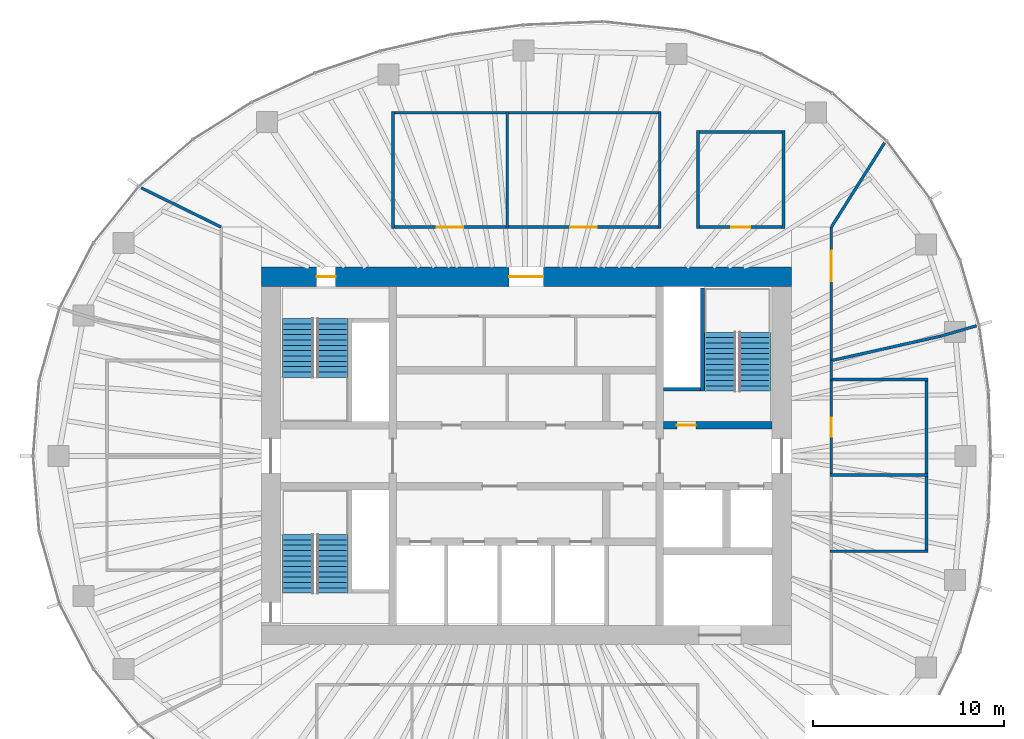
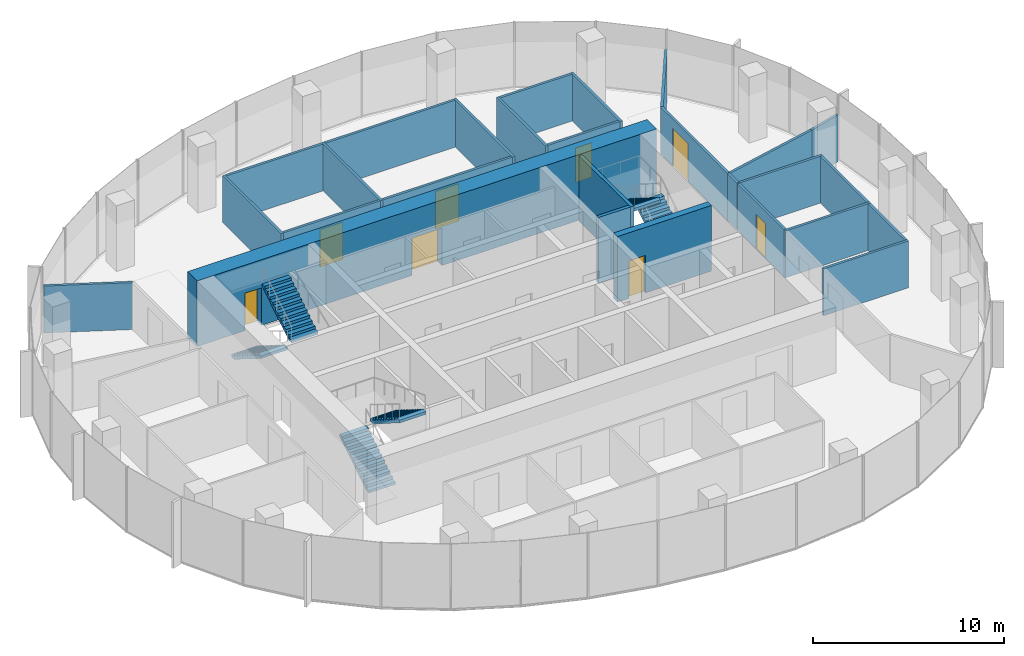
# One storey, part 10 of 11: 27 walls, 8 doors, 6 stair flights, 8 openings, 3 elements without a shape of their own.
"""IFC4 building model written with IfcOpenShell, lengths in metres."""

from ifc_helpers import new_model, si_unit, direction, frame, frame_2d, origin, place, context, subcontext, project, spatial, polyline, rectangle, outline, extrude, material, layer, layer_set, type_object, element, fill, aggregate, save


model = new_model("IFC4")

# Units and contexts
model_context = context("Model", 3, precision=1e-05, world=origin(), true_north=direction((0.0, 1.0)))
body_context = subcontext(model_context, "Body", "Model", "MODEL_VIEW")
ifc_project = project(units=[si_unit("LENGTHUNIT", "METRE"), si_unit("AREAUNIT", "SQUARE_METRE"), si_unit("VOLUMEUNIT", "CUBIC_METRE"), si_unit("PLANEANGLEUNIT", "RADIAN"), si_unit("MASSUNIT", "GRAM", prefix="KILO")], contexts=[model_context])

# Site, building, storey
site_placement = place(None, origin())
site = spatial("IfcSite", under=ifc_project, at=site_placement, CompositionType="ELEMENT")
building_placement = place(site_placement, origin())
building = spatial("IfcBuilding", under=site, at=building_placement, Name="Ghaith Harvest Tower", CompositionType="ELEMENT")
storey_placement = place(building_placement, frame((0.0, 0.0, 292.199951171875)))
storey = spatial("IfcBuildingStorey", under=building, at=storey_placement, Name="L65", CompositionType="ELEMENT", Elevation=292.199951171875)

# Wall, openings, doors
ifc_material_1 = material(Name="Concrete C50/60", Category="concrete")
ifc_layer_1 = layer(ifc_material_1, 1.0)
ifc_layer_set_1 = layer_set([ifc_layer_1], Name="CORE WALL CW1000")
wall_type_1 = type_object("IfcWallType", Name="CORE WALL CW1000", PredefinedType="SHEAR", material=ifc_layer_set_1)
wall_1_placement = place(storey_placement, frame((13.89990234375, 9.39990234375, 0.0), z_axis=(0.0, 0.0, 1.0), x_axis=(-1.0, 0.0, 0.0)))
wall_1 = element("IfcWall", 1, at=wall_1_placement, inside=storey, type_object=wall_type_1, Name="Core wall N L65", PredefinedType="SHEAR", context=body_context, shape_type="SweptSolid", body=[
    extrude(rectangle(XDim=27.7998046875, YDim=1.0, at=frame_2d((13.89990234375, 0.0))), origin(), (0.0, 0.0, 1.0), 4.199951171875),
])
opening_1_placement = place(wall_1_placement, frame((23.89990234375, 0.0, 0.0)))
opening_1 = element("IfcOpeningElement", 2, at=opening_1_placement, cuts=wall_1, Name="Opening 65-005", PredefinedType="OPENING", context=body_context, shape_type="SweptSolid", body=[
    extrude(rectangle(XDim=1.0, YDim=2.39990234375, at=frame_2d((0.5, 1.199951171875))), frame((0.0, 0.510009765625, 0.0), z_axis=(0.0, -1.0, 0.0), x_axis=(1.0, 0.0, 0.0)), (0.0, 0.0, 1.0), 1.02001953125),
])
opening_2_placement = place(wall_1_placement, frame((13.0, 0.0, 0.0)))
opening_2 = element("IfcOpeningElement", 3, at=opening_2_placement, cuts=wall_1, Name="Opening 65-016", PredefinedType="OPENING", context=body_context, shape_type="SweptSolid", body=[
    extrude(rectangle(XDim=1.800048828125, YDim=2.39990234375, at=frame_2d((0.89990234375, 1.199951171875))), frame((0.0, 0.510009765625, 0.0), z_axis=(0.0, -1.0, 0.0), x_axis=(1.0, 0.0, 0.0)), (0.0, 0.0, 1.0), 1.02001953125),
])
ifc_material_2 = material(Name="Steel fire door", Category="steel")
door_type_1 = type_object("IfcDoorType", Name="D3 FD90 1000x2400", OperationType="SINGLE_SWING_LEFT", PredefinedType="DOOR", material=ifc_material_2)
door_1_placement = place(opening_1_placement, origin())
door_1 = element("IfcDoor", 4, at=door_1_placement, inside=storey, type_object=door_type_1, Name="Stair ST1 door", OperationType="SINGLE_SWING_RIGHT", OverallHeight=2.39990234375, OverallWidth=1.0, PredefinedType="DOOR", context=body_context, shape_type="SweptSolid", body=[
    extrude(rectangle(XDim=1.0, YDim=2.39990234375, at=frame_2d((0.5, 1.199951171875))), frame((0.0, 0.02490234375, 0.0), z_axis=(0.0, -1.0, 0.0), x_axis=(1.0, 0.0, 0.0)), (0.0, 0.0, 1.0), 0.050048828125),
])
fill(opening_1, door_1)
ifc_material_3 = material(Name="Steel fire door", Category="steel")
door_type_2 = type_object("IfcDoorType", Name="D4 FD90 PAIR 1800x2400", OperationType="DOUBLE_DOOR_SINGLE_SWING", PredefinedType="DOOR", material=ifc_material_3)
door_2_placement = place(opening_2_placement, origin())
door_2 = element("IfcDoor", 5, at=door_2_placement, inside=storey, type_object=door_type_2, Name="Core service corridor doors", OperationType="DOUBLE_DOOR_SINGLE_SWING", OverallHeight=2.39990234375, OverallWidth=1.800048828125, PredefinedType="DOOR", context=body_context, shape_type="SweptSolid", body=[
    extrude(rectangle(XDim=1.800048828125, YDim=2.39990234375, at=frame_2d((0.89990234375, 1.199951171875))), frame((0.0, 0.02490234375, 0.0), z_axis=(0.0, -1.0, 0.0), x_axis=(1.0, 0.0, 0.0)), (0.0, 0.0, 1.0), 0.050048828125),
])
fill(opening_2, door_2)

# Walls
ifc_material_4 = material(Name="Gypsum board on steel studs", Category="steel")
ifc_layer_2 = layer(ifc_material_4, 0.14990234375)
ifc_layer_set_2 = layer_set([ifc_layer_2], Name="PARTITION 150")
wall_type_2 = type_object("IfcWallType", Name="PARTITION 150", PredefinedType="PARTITIONING", material=ifc_layer_set_2)
for number, where, z_axis, x_axis, name in (
    (6, (-7.0, 11.925048828125, 0.0), (0.0, 0.0, 1.0), (0.0, 1.0, 0.0), "Partition L65 row N3 cross wall 1"),
    (7, (-1.0, 11.925048828125, 0.0), (0.0, 0.0, 1.0), (0.0, 1.0, 0.0), "Partition L65 row N3 cross wall 2"),
    (8, (7.0, 11.925048828125, 0.0), (0.0, 0.0, 1.0), (0.0, 1.0, 0.0), "Partition L65 row N3 cross wall 3"),
):
    element("IfcWall", number, at=place(storey_placement, frame(where, z_axis=z_axis, x_axis=x_axis)), inside=storey, type_object=wall_type_2, Name=name, PredefinedType="PARTITIONING", context=body_context, shape_type="SweptSolid", body=[
        extrude(rectangle(XDim=6.14990234375, YDim=0.14990234375, at=frame_2d((3.074951171875, 0.0))), origin(), (0.0, 0.0, 1.0), 3.0),
    ])

# Wall, opening, door
wall_2_placement = place(storey_placement, frame((-6.925048828125, 12.0, 0.0), z_axis=(0.0, 0.0, 1.0), x_axis=(1.0, 0.0, 0.0)))
wall_2 = element("IfcWall", 9, at=wall_2_placement, inside=storey, type_object=wall_type_2, Name="Partition L65-07", PredefinedType="PARTITIONING", context=body_context, shape_type="SweptSolid", body=[
    extrude(rectangle(XDim=5.85009765625, YDim=0.14990234375, at=frame_2d((2.925048828125, 0.0))), origin(), (0.0, 0.0, 1.0), 3.0),
])
opening_3_placement = place(wall_2_placement, frame((2.22509765625, 0.0, 0.0)))
opening_3 = element("IfcOpeningElement", 10, at=opening_3_placement, cuts=wall_2, Name="Opening 65-030", PredefinedType="OPENING", context=body_context, shape_type="SweptSolid", body=[
    extrude(rectangle(XDim=1.39990234375, YDim=2.39990234375, at=frame_2d((0.699951171875, 1.199951171875))), frame((0.0, 0.0849609375, 0.0), z_axis=(0.0, -1.0, 0.0), x_axis=(1.0, 0.0, 0.0)), (0.0, 0.0, 1.0), 0.169921875),
])
ifc_material_5 = material(Name="Stainless steel faced door pair", Category="steel")
door_type_3 = type_object("IfcDoorType", Name="D14 HYGIENE PAIR 1400x2400", OperationType="DOUBLE_DOOR_DOUBLE_SWING", PredefinedType="DOOR", material=ifc_material_5)
door_3_placement = place(opening_3_placement, origin())
door_3 = element("IfcDoor", 11, at=door_3_placement, inside=storey, type_object=door_type_3, Name="Grading room door", OperationType="DOUBLE_DOOR_DOUBLE_SWING", OverallHeight=2.39990234375, OverallWidth=1.39990234375, PredefinedType="DOOR", context=body_context, shape_type="SweptSolid", body=[
    extrude(rectangle(XDim=1.39990234375, YDim=2.39990234375, at=frame_2d((0.699951171875, 1.199951171875))), frame((0.0, 0.02490234375, 0.0), z_axis=(0.0, -1.0, 0.0), x_axis=(1.0, 0.0, 0.0)), (0.0, 0.0, 1.0), 0.050048828125),
])
fill(opening_3, door_3)

# Wall
wall_3_placement = place(storey_placement, frame((-6.925048828125, 18.0, 0.0), z_axis=(0.0, 0.0, 1.0), x_axis=(1.0, 0.0, 0.0)))
element("IfcWall", 12, at=wall_3_placement, inside=storey, type_object=wall_type_2, Name="Partition L65-07", PredefinedType="PARTITIONING", context=body_context, shape_type="SweptSolid", body=[
    extrude(rectangle(XDim=5.85009765625, YDim=0.14990234375, at=frame_2d((2.925048828125, 0.0))), origin(), (0.0, 0.0, 1.0), 3.0),
])

# Wall, opening, door
wall_4_placement = place(storey_placement, frame((-0.925048828125, 12.0, 0.0), z_axis=(0.0, 0.0, 1.0), x_axis=(1.0, 0.0, 0.0)))
wall_4 = element("IfcWall", 13, at=wall_4_placement, inside=storey, type_object=wall_type_2, Name="Partition L65-08", PredefinedType="PARTITIONING", context=body_context, shape_type="SweptSolid", body=[
    extrude(rectangle(XDim=7.85009765625, YDim=0.14990234375, at=frame_2d((3.925048828125, 0.0))), origin(), (0.0, 0.0, 1.0), 3.0),
])
opening_4_placement = place(wall_4_placement, frame((3.22509765625, 0.0, 0.0)))
opening_4 = element("IfcOpeningElement", 14, at=opening_4_placement, cuts=wall_4, Name="Opening 65-031", PredefinedType="OPENING", context=body_context, shape_type="SweptSolid", body=[
    extrude(rectangle(XDim=1.39990234375, YDim=2.39990234375, at=frame_2d((0.699951171875, 1.199951171875))), frame((0.0, 0.0849609375, 0.0), z_axis=(0.0, -1.0, 0.0), x_axis=(1.0, 0.0, 0.0)), (0.0, 0.0, 1.0), 0.169921875),
])
door_4_placement = place(opening_4_placement, origin())
door_4 = element("IfcDoor", 15, at=door_4_placement, inside=storey, type_object=door_type_3, Name="Packing room door", OperationType="DOUBLE_DOOR_DOUBLE_SWING", OverallHeight=2.39990234375, OverallWidth=1.39990234375, PredefinedType="DOOR", context=body_context, shape_type="SweptSolid", body=[
    extrude(rectangle(XDim=1.39990234375, YDim=2.39990234375, at=frame_2d((0.699951171875, 1.199951171875))), frame((0.0, 0.02490234375, 0.0), z_axis=(0.0, -1.0, 0.0), x_axis=(1.0, 0.0, 0.0)), (0.0, 0.0, 1.0), 0.050048828125),
])
fill(opening_4, door_4)

# Walls
wall_5_placement = place(storey_placement, frame((-0.925048828125, 18.0, 0.0), z_axis=(0.0, 0.0, 1.0), x_axis=(1.0, 0.0, 0.0)))
element("IfcWall", 16, at=wall_5_placement, inside=storey, type_object=wall_type_2, Name="Partition L65-08", PredefinedType="PARTITIONING", context=body_context, shape_type="SweptSolid", body=[
    extrude(rectangle(XDim=7.85009765625, YDim=0.14990234375, at=frame_2d((3.925048828125, 0.0))), origin(), (0.0, 0.0, 1.0), 3.0),
])
for number, where, z_axis, x_axis, name in (
    (17, (15.925048828125, -5.0, 0.0), (0.0, 0.0, 1.0), (1.0, 0.0, 0.0), "Partition L65 row E4 cross wall 1"),
    (18, (15.925048828125, -1.0, 0.0), (0.0, 0.0, 1.0), (1.0, 0.0, 0.0), "Partition L65 row E4 cross wall 2"),
    (19, (15.925048828125, 4.0, 0.0), (0.0, 0.0, 1.0), (1.0, 0.0, 0.0), "Partition L65 row E4 cross wall 3"),
):
    element("IfcWall", number, at=place(storey_placement, frame(where, z_axis=z_axis, x_axis=x_axis)), inside=storey, type_object=wall_type_2, Name=name, PredefinedType="PARTITIONING", context=body_context, shape_type="SweptSolid", body=[
        extrude(rectangle(XDim=5.14990234375, YDim=0.14990234375, at=frame_2d((2.574951171875, 0.0))), origin(), (0.0, 0.0, 1.0), 3.0),
    ])
wall_6_placement = place(storey_placement, frame((21.0, -4.925048828125, 0.0), z_axis=(0.0, 0.0, 1.0), x_axis=(0.0, 1.0, 0.0)))
element("IfcWall", 20, at=wall_6_placement, inside=storey, type_object=wall_type_2, Name="Partition L65-09", PredefinedType="PARTITIONING", context=body_context, shape_type="SweptSolid", body=[
    extrude(rectangle(XDim=3.85009765625, YDim=0.14990234375, at=frame_2d((1.925048828125, 0.0))), origin(), (0.0, 0.0, 1.0), 3.0),
])

# Wall, opening, door
wall_7_placement = place(storey_placement, frame((16.0, -0.925048828125, 0.0), z_axis=(0.0, 0.0, 1.0), x_axis=(0.0, 1.0, 0.0)))
wall_7 = element("IfcWall", 21, at=wall_7_placement, inside=storey, type_object=wall_type_2, Name="Partition L65-10", PredefinedType="PARTITIONING", context=body_context, shape_type="SweptSolid", body=[
    extrude(rectangle(XDim=4.85009765625, YDim=0.14990234375, at=frame_2d((2.425048828125, 0.0))), origin(), (0.0, 0.0, 1.0), 3.0),
])
opening_5_placement = place(wall_7_placement, frame((1.925048828125, 0.0, 0.0)))
opening_5 = element("IfcOpeningElement", 22, at=opening_5_placement, cuts=wall_7, Name="Opening 65-033", PredefinedType="OPENING", context=body_context, shape_type="SweptSolid", body=[
    extrude(rectangle(XDim=1.0, YDim=2.199951171875, at=frame_2d((0.5, 1.10009765625))), frame((0.0, 0.0849609375, 0.0), z_axis=(0.0, -1.0, 0.0), x_axis=(1.0, 0.0, 0.0)), (0.0, 0.0, 1.0), 0.169921875),
])
ifc_material_6 = material(Name="Timber door", Category="wood")
door_type_4 = type_object("IfcDoorType", Name="D1 SINGLE 1000x2200", OperationType="SINGLE_SWING_LEFT", PredefinedType="DOOR", material=ifc_material_6)
door_5_placement = place(opening_5_placement, origin())
door_5 = element("IfcDoor", 23, at=door_5_placement, inside=storey, type_object=door_type_4, Name="Staff room door", OperationType="SINGLE_SWING_LEFT", OverallHeight=2.199951171875, OverallWidth=1.0, PredefinedType="DOOR", context=body_context, shape_type="SweptSolid", body=[
    extrude(rectangle(XDim=1.0, YDim=2.199951171875, at=frame_2d((0.5, 1.10009765625))), frame((0.0, 0.02490234375, 0.0), z_axis=(0.0, -1.0, 0.0), x_axis=(1.0, 0.0, 0.0)), (0.0, 0.0, 1.0), 0.050048828125),
])
fill(opening_5, door_5)

# Walls
wall_8_placement = place(storey_placement, frame((21.0, -0.925048828125, 0.0), z_axis=(0.0, 0.0, 1.0), x_axis=(0.0, 1.0, 0.0)))
element("IfcWall", 24, at=wall_8_placement, inside=storey, type_object=wall_type_2, Name="Partition L65-10", PredefinedType="PARTITIONING", context=body_context, shape_type="SweptSolid", body=[
    extrude(rectangle(XDim=4.85009765625, YDim=0.14990234375, at=frame_2d((2.425048828125, 0.0))), origin(), (0.0, 0.0, 1.0), 3.0),
])
for number, where, z_axis, x_axis, name in (
    (25, (9.0, 11.925048828125, 0.0), (0.0, 0.0, 1.0), (0.0, 1.0, 0.0), "Partition L65 row N5 cross wall 1"),
    (26, (13.5, 11.925048828125, 0.0), (0.0, 0.0, 1.0), (0.0, 1.0, 0.0), "Partition L65 row N5 cross wall 2"),
):
    element("IfcWall", number, at=place(storey_placement, frame(where, z_axis=z_axis, x_axis=x_axis)), inside=storey, type_object=wall_type_2, Name=name, PredefinedType="PARTITIONING", context=body_context, shape_type="SweptSolid", body=[
        extrude(rectangle(XDim=5.14990234375, YDim=0.14990234375, at=frame_2d((2.574951171875, 0.0))), origin(), (0.0, 0.0, 1.0), 3.0),
    ])

# Wall, opening, door
wall_9_placement = place(storey_placement, frame((9.074951171875, 12.0, 0.0), z_axis=(0.0, 0.0, 1.0), x_axis=(1.0, 0.0, 0.0)))
wall_9 = element("IfcWall", 27, at=wall_9_placement, inside=storey, type_object=wall_type_2, Name="Partition L65-11", PredefinedType="PARTITIONING", context=body_context, shape_type="SweptSolid", body=[
    extrude(rectangle(XDim=4.35009765625, YDim=0.14990234375, at=frame_2d((2.175048828125, 0.0))), origin(), (0.0, 0.0, 1.0), 3.0),
])
opening_6_placement = place(wall_9_placement, frame((1.675048828125, 0.0, 0.0)))
opening_6 = element("IfcOpeningElement", 28, at=opening_6_placement, cuts=wall_9, Name="Opening 65-034", PredefinedType="OPENING", context=body_context, shape_type="SweptSolid", body=[
    extrude(rectangle(XDim=1.0, YDim=2.199951171875, at=frame_2d((0.5, 1.10009765625))), frame((0.0, 0.0849609375, 0.0), z_axis=(0.0, -1.0, 0.0), x_axis=(1.0, 0.0, 0.0)), (0.0, 0.0, 1.0), 0.169921875),
])
door_6_placement = place(opening_6_placement, origin())
door_6 = element("IfcDoor", 29, at=door_6_placement, inside=storey, type_object=door_type_4, Name="Packaging store door", OperationType="SINGLE_SWING_LEFT", OverallHeight=2.199951171875, OverallWidth=1.0, PredefinedType="DOOR", context=body_context, shape_type="SweptSolid", body=[
    extrude(rectangle(XDim=1.0, YDim=2.199951171875, at=frame_2d((0.5, 1.10009765625))), frame((0.0, 0.02490234375, 0.0), z_axis=(0.0, -1.0, 0.0), x_axis=(1.0, 0.0, 0.0)), (0.0, 0.0, 1.0), 0.050048828125),
])
fill(opening_6, door_6)

# Walls
wall_10_placement = place(storey_placement, frame((9.074951171875, 17.0, 0.0), z_axis=(0.0, 0.0, 1.0), x_axis=(1.0, 0.0, 0.0)))
element("IfcWall", 30, at=wall_10_placement, inside=storey, type_object=wall_type_2, Name="Partition L65-11", PredefinedType="PARTITIONING", context=body_context, shape_type="SweptSolid", body=[
    extrude(rectangle(XDim=4.35009765625, YDim=0.14990234375, at=frame_2d((2.175048828125, 0.0))), origin(), (0.0, 0.0, 1.0), 3.0),
])
wall_11_placement = place(storey_placement, frame((-16.017822265625, 12.0087890625, 0.0), z_axis=(0.0, 0.0, 1.0), x_axis=(-0.897771840996, 0.440460805879, 0.0)))
element("IfcWall", 31, at=wall_11_placement, inside=storey, type_object=wall_type_2, Name="Partition L65 zone division", PredefinedType="PARTITIONING", context=body_context, shape_type="SweptSolid", body=[
    extrude(rectangle(XDim=4.66552734375, YDim=0.14990234375, at=frame_2d((2.332763671875, 0.0))), origin(), (0.0, 0.0, 1.0), 3.0),
])
wall_12_placement = place(storey_placement, frame((16.0107421875, 12.016845703125, 0.0), z_axis=(0.0, 0.0, 1.0), x_axis=(0.53415837449, 0.845384427916, 0.0)))
element("IfcWall", 32, at=wall_12_placement, inside=storey, type_object=wall_type_2, Name="Partition L65 zone division", PredefinedType="PARTITIONING", context=body_context, shape_type="SweptSolid", body=[
    extrude(rectangle(XDim=5.220458984375, YDim=0.14990234375, at=frame_2d((2.6103515625, 0.0))), origin(), (0.0, 0.0, 1.0), 3.0),
])
wall_13_placement = place(storey_placement, frame((16.02001953125, 5.00439453125, 0.0), z_axis=(0.0, 0.0, 1.0), x_axis=(0.975955215335, 0.217971139513, 0.0)))
element("IfcWall", 33, at=wall_13_placement, inside=storey, type_object=wall_type_2, Name="Partition L65 zone division", PredefinedType="PARTITIONING", context=body_context, shape_type="SweptSolid", body=[
    extrude(rectangle(XDim=5.836669921875, YDim=0.14990234375, at=frame_2d((2.91845703125, 0.0))), origin(), (0.0, 0.0, 1.0), 3.0),
])
wall_14_placement = place(storey_placement, frame((21.71630859375, 6.276611328125, 0.0), z_axis=(0.0, 0.0, 1.0), x_axis=(0.960705414675, 0.277570002366, 0.0)))
element("IfcWall", 34, at=wall_14_placement, inside=storey, type_object=wall_type_2, Name="Partition L65 zone division", PredefinedType="PARTITIONING", context=body_context, shape_type="SweptSolid", body=[
    extrude(rectangle(XDim=1.97998046875, YDim=0.14990234375, at=frame_2d((0.989990234375, 0.0))), origin(), (0.0, 0.0, 1.0), 3.0),
])

# Wall, opening, door
wall_15_placement = place(storey_placement, frame((16.0, 5.0, 0.0), z_axis=(0.0, 0.0, 1.0), x_axis=(0.0, 1.0, 0.0)))
wall_15 = element("IfcWall", 35, at=wall_15_placement, inside=storey, type_object=wall_type_2, Name="Partition L65 zone enclosure", PredefinedType="PARTITIONING", context=body_context, shape_type="SweptSolid", body=[
    extrude(rectangle(XDim=7.0, YDim=0.14990234375, at=frame_2d((3.5, 0.0))), origin(), (0.0, 0.0, 1.0), 3.0),
])
opening_7_placement = place(wall_15_placement, frame((4.14990234375, 0.0, 0.0)))
opening_7 = element("IfcOpeningElement", 36, at=opening_7_placement, cuts=wall_15, Name="Opening 65-035", PredefinedType="OPENING", context=body_context, shape_type="SweptSolid", body=[
    extrude(rectangle(XDim=1.60009765625, YDim=2.39990234375, at=frame_2d((0.800048828125, 1.199951171875))), frame((0.0, 0.0849609375, 0.0), z_axis=(0.0, -1.0, 0.0), x_axis=(1.0, 0.0, 0.0)), (0.0, 0.0, 1.0), 0.169921875),
])
ifc_material_7 = material(Name="Timber door", Category="wood")
door_type_5 = type_object("IfcDoorType", Name="D2 PAIR 1600x2400", OperationType="DOUBLE_DOOR_SINGLE_SWING", PredefinedType="DOOR", material=ifc_material_7)
door_7_placement = place(opening_7_placement, origin())
door_7 = element("IfcDoor", 37, at=door_7_placement, inside=storey, type_object=door_type_5, Name="Specialty growing area east 1 door", OperationType="DOUBLE_DOOR_SINGLE_SWING", OverallHeight=2.39990234375, OverallWidth=1.60009765625, PredefinedType="DOOR", context=body_context, shape_type="SweptSolid", body=[
    extrude(rectangle(XDim=1.60009765625, YDim=2.39990234375, at=frame_2d((0.800048828125, 1.199951171875))), frame((0.0, 0.02490234375, 0.0), z_axis=(0.0, -1.0, 0.0), x_axis=(1.0, 0.0, 0.0)), (0.0, 0.0, 1.0), 0.050048828125),
])
fill(opening_7, door_7)

# Wall
wall_16_placement = place(storey_placement, frame((16.0, 4.0, 0.0), z_axis=(0.0, 0.0, 1.0), x_axis=(0.0, 1.0, 0.0)))
element("IfcWall", 38, at=wall_16_placement, inside=storey, type_object=wall_type_2, Name="Partition L65 zone enclosure", PredefinedType="PARTITIONING", context=body_context, shape_type="SweptSolid", body=[
    extrude(rectangle(XDim=1.0, YDim=0.14990234375, at=frame_2d((0.5, 0.0))), origin(), (0.0, 0.0, 1.0), 3.0),
])

# Wall, opening, door
ifc_material_8 = material(Name="Concrete C70/85", Category="concrete")
ifc_layer_3 = layer(ifc_material_8, 0.39990234375)
ifc_layer_set_3 = layer_set([ifc_layer_3], Name="SHAFT WALL 400")
wall_type_3 = type_object("IfcWallType", Name="SHAFT WALL 400", PredefinedType="SHEAR", material=ifc_layer_set_3)
wall_17_placement = place(storey_placement, frame((7.199951171875, 1.60009765625, 0.0), z_axis=(0.0, 0.0, 1.0), x_axis=(1.0, 0.0, 0.0)))
wall_17 = element("IfcWall", 39, at=wall_17_placement, inside=storey, type_object=wall_type_3, Name="Shaft wall EN L65", PredefinedType="SHEAR", context=body_context, shape_type="SweptSolid", body=[
    extrude(rectangle(XDim=5.699951171875, YDim=0.39990234375, at=frame_2d((2.85009765625, 0.0))), origin(), (0.0, 0.0, 1.0), 4.199951171875),
])
opening_8_placement = place(wall_17_placement, frame((0.699951171875, 0.0, 0.0)))
opening_8 = element("IfcOpeningElement", 40, at=opening_8_placement, cuts=wall_17, Name="Opening 65-007", PredefinedType="OPENING", context=body_context, shape_type="SweptSolid", body=[
    extrude(rectangle(XDim=1.0, YDim=2.39990234375, at=frame_2d((0.5, 1.199951171875))), frame((0.0, 0.2099609375, 0.0), z_axis=(0.0, -1.0, 0.0), x_axis=(1.0, 0.0, 0.0)), (0.0, 0.0, 1.0), 0.419921875),
])
door_8_placement = place(opening_8_placement, origin())
door_8 = element("IfcDoor", 41, at=door_8_placement, inside=storey, type_object=door_type_1, Name="Stair ST2 door", OperationType="SINGLE_SWING_LEFT", OverallHeight=2.39990234375, OverallWidth=1.0, PredefinedType="DOOR", context=body_context, shape_type="SweptSolid", body=[
    extrude(rectangle(XDim=1.0, YDim=2.39990234375, at=frame_2d((0.5, 1.199951171875))), frame((0.0, 0.02490234375, 0.0), z_axis=(0.0, -1.0, 0.0), x_axis=(1.0, 0.0, 0.0)), (0.0, 0.0, 1.0), 0.050048828125),
])
fill(opening_8, door_8)

# Walls
ifc_material_9 = material(Name="Concrete C40/50", Category="concrete")
ifc_layer_4 = layer(ifc_material_9, 0.199951171875)
ifc_layer_set_4 = layer_set([ifc_layer_4], Name="STAIR SPINE WALL RC200")
wall_type_4 = type_object("IfcWallType", Name="STAIR SPINE WALL RC200", PredefinedType="SOLIDWALL", material=ifc_layer_set_4)
wall_18_placement = place(storey_placement, frame((9.25, 3.39990234375, 0.0), z_axis=(0.0, 0.0, 1.0), x_axis=(0.0, 1.0, 0.0)))
element("IfcWall", 42, at=wall_18_placement, inside=storey, type_object=wall_type_4, Name="Stair ST2 spine wall L65", PredefinedType="SOLIDWALL", context=body_context, shape_type="SweptSolid", body=[
    extrude(rectangle(XDim=5.400146484375, YDim=0.199951171875, at=frame_2d((2.7001953125, 0.0))), origin(), (0.0, 0.0, 1.0), 4.199951171875),
])
wall_19_placement = place(storey_placement, frame((9.14990234375, 3.5, 0.0), z_axis=(0.0, 0.0, 1.0), x_axis=(-1.0, 0.0, 0.0)))
element("IfcWall", 43, at=wall_19_placement, inside=storey, type_object=wall_type_4, Name="Stair ST2 spine wall return L65", PredefinedType="SOLIDWALL", context=body_context, shape_type="SweptSolid", body=[
    extrude(rectangle(XDim=1.949951171875, YDim=0.199951171875, at=frame_2d((0.97509765625, 0.0))), origin(), (0.0, 0.0, 1.0), 4.199951171875),
])

# Stair, stair flights
ifc_material_10 = material(Name="Concrete C40/50, precast", Category="concrete")
stair_type = type_object("IfcStairType", Name="CORE STAIR 24R", PredefinedType="HALF_TURN_STAIR", material=ifc_material_10)
stair_1_placement = place(storey_placement, origin())
stair_1 = element("IfcStair", 44, at=stair_1_placement, inside=storey, type_object=stair_type, Name="Stair ST1 L65", PredefinedType="HALF_TURN_STAIR")
ifc_material_11 = material(Name="Concrete C40/50, precast", Category="concrete")
stair_flight_type = type_object("IfcStairFlightType", Name="CORE FLIGHT 12R 1600", PredefinedType="STRAIGHT", material=ifc_material_11)
stair_flight_1_placement = place(storey_placement, frame((-12.0, 7.199951171875, 0.0), z_axis=(0.0, 0.0, 1.0), x_axis=(0.0, -1.0, 0.0)))
stair_flight_1 = element("IfcStairFlight", 45, at=stair_flight_1_placement, type_object=stair_flight_type, Name="ST1 flight 1", NumberOfRisers=12, NumberOfTreads=11, PredefinedType="STRAIGHT", RiserHeight=0.175, TreadLength=0.28, context=body_context, shape_type="SweptSolid", body=[
    extrude(outline(polyline([(0.0, 0.0), (0.0, 0.175048828125), (0.280029296875, 0.175048828125), (0.280029296875, 0.35009765625), (0.56005859375, 0.35009765625), (0.56005859375, 0.52490234375), (0.840087890625, 0.52490234375), (0.840087890625, 0.699951171875), (1.1201171875, 0.699951171875), (1.1201171875, 0.875), (1.39990234375, 0.875), (1.39990234375, 1.050048828125), (1.679931640625, 1.050048828125), (1.679931640625, 1.22509765625), (1.9599609375, 1.22509765625), (1.9599609375, 1.39990234375), (2.239990234375, 1.39990234375), (2.239990234375, 1.574951171875), (2.52001953125, 1.574951171875), (2.52001953125, 1.75), (2.800048828125, 1.75), (2.800048828125, 1.925048828125), (3.080078125, 1.925048828125), (3.080078125, 2.10009765625), (3.080078125, 1.748291015625), (0.28271484375, 0.0), (0.0, 0.0)])), frame((0.0, 0.800048828125, 0.0), z_axis=(0.0, -1.0, 0.0), x_axis=(1.0, 0.0, 0.0)), (0.0, 0.0, 1.0), 1.60009765625),
])
stair_flight_2_placement = place(storey_placement, frame((-10.14990234375, 4.1201171875, 2.10009765625), z_axis=(0.0, 0.0, 1.0), x_axis=(0.0, 1.0, 0.0)))
stair_flight_2 = element("IfcStairFlight", 46, at=stair_flight_2_placement, type_object=stair_flight_type, Name="ST1 flight 2", NumberOfRisers=12, NumberOfTreads=11, PredefinedType="STRAIGHT", RiserHeight=0.175, TreadLength=0.28, context=body_context, shape_type="SweptSolid", body=[
    extrude(outline(polyline([(0.0, 0.0), (0.0, 0.175048828125), (0.280029296875, 0.175048828125), (0.280029296875, 0.35009765625), (0.56005859375, 0.35009765625), (0.56005859375, 0.52490234375), (0.840087890625, 0.52490234375), (0.840087890625, 0.699951171875), (1.1201171875, 0.699951171875), (1.1201171875, 0.875), (1.39990234375, 0.875), (1.39990234375, 1.050048828125), (1.679931640625, 1.050048828125), (1.679931640625, 1.22509765625), (1.9599609375, 1.22509765625), (1.9599609375, 1.39990234375), (2.239990234375, 1.39990234375), (2.239990234375, 1.574951171875), (2.52001953125, 1.574951171875), (2.52001953125, 1.75), (2.800048828125, 1.75), (2.800048828125, 1.925048828125), (3.080078125, 1.925048828125), (3.080078125, 2.10009765625), (3.080078125, 1.748291015625), (0.28271484375, 0.0), (0.0, 0.0)])), frame((0.0, 0.800048828125, 0.0), z_axis=(0.0, -1.0, 0.0), x_axis=(1.0, 0.0, 0.0)), (0.0, 0.0, 1.0), 1.60009765625),
])
aggregate(stair_1, [stair_flight_1, stair_flight_2])

stair_2_placement = place(storey_placement, origin())
stair_2 = element("IfcStair", 47, at=stair_2_placement, inside=storey, type_object=stair_type, Name="Stair ST3 L65", PredefinedType="HALF_TURN_STAIR")
stair_flight_3_placement = place(storey_placement, frame((-12.0, -7.199951171875, 0.0), z_axis=(0.0, 0.0, 1.0), x_axis=(0.0, 1.0, 0.0)))
stair_flight_3 = element("IfcStairFlight", 48, at=stair_flight_3_placement, type_object=stair_flight_type, Name="ST3 flight 1", NumberOfRisers=12, NumberOfTreads=11, PredefinedType="STRAIGHT", RiserHeight=0.175, TreadLength=0.28, context=body_context, shape_type="SweptSolid", body=[
    extrude(outline(polyline([(0.0, 0.0), (0.0, 0.175048828125), (0.280029296875, 0.175048828125), (0.280029296875, 0.35009765625), (0.56005859375, 0.35009765625), (0.56005859375, 0.52490234375), (0.840087890625, 0.52490234375), (0.840087890625, 0.699951171875), (1.1201171875, 0.699951171875), (1.1201171875, 0.875), (1.39990234375, 0.875), (1.39990234375, 1.050048828125), (1.679931640625, 1.050048828125), (1.679931640625, 1.22509765625), (1.9599609375, 1.22509765625), (1.9599609375, 1.39990234375), (2.239990234375, 1.39990234375), (2.239990234375, 1.574951171875), (2.52001953125, 1.574951171875), (2.52001953125, 1.75), (2.800048828125, 1.75), (2.800048828125, 1.925048828125), (3.080078125, 1.925048828125), (3.080078125, 2.10009765625), (3.080078125, 1.748291015625), (0.28271484375, 0.0), (0.0, 0.0)])), frame((0.0, 0.800048828125, 0.0), z_axis=(0.0, -1.0, 0.0), x_axis=(1.0, 0.0, 0.0)), (0.0, 0.0, 1.0), 1.60009765625),
])
stair_flight_4_placement = place(storey_placement, frame((-10.14990234375, -4.1201171875, 2.10009765625), z_axis=(0.0, 0.0, 1.0), x_axis=(0.0, -1.0, 0.0)))
stair_flight_4 = element("IfcStairFlight", 49, at=stair_flight_4_placement, type_object=stair_flight_type, Name="ST3 flight 2", NumberOfRisers=12, NumberOfTreads=11, PredefinedType="STRAIGHT", RiserHeight=0.175, TreadLength=0.28, context=body_context, shape_type="SweptSolid", body=[
    extrude(outline(polyline([(0.0, 0.0), (0.0, 0.175048828125), (0.280029296875, 0.175048828125), (0.280029296875, 0.35009765625), (0.56005859375, 0.35009765625), (0.56005859375, 0.52490234375), (0.840087890625, 0.52490234375), (0.840087890625, 0.699951171875), (1.1201171875, 0.699951171875), (1.1201171875, 0.875), (1.39990234375, 0.875), (1.39990234375, 1.050048828125), (1.679931640625, 1.050048828125), (1.679931640625, 1.22509765625), (1.9599609375, 1.22509765625), (1.9599609375, 1.39990234375), (2.239990234375, 1.39990234375), (2.239990234375, 1.574951171875), (2.52001953125, 1.574951171875), (2.52001953125, 1.75), (2.800048828125, 1.75), (2.800048828125, 1.925048828125), (3.080078125, 1.925048828125), (3.080078125, 2.10009765625), (3.080078125, 1.748291015625), (0.28271484375, 0.0), (0.0, 0.0)])), frame((0.0, 0.800048828125, 0.0), z_axis=(0.0, -1.0, 0.0), x_axis=(1.0, 0.0, 0.0)), (0.0, 0.0, 1.0), 1.60009765625),
])
aggregate(stair_2, [stair_flight_3, stair_flight_4])

stair_3_placement = place(storey_placement, origin())
stair_3 = element("IfcStair", 50, at=stair_3_placement, inside=storey, type_object=stair_type, Name="Stair ST2 L65", PredefinedType="HALF_TURN_STAIR")
stair_flight_5_placement = place(storey_placement, frame((12.0, 3.39990234375, 0.0), z_axis=(0.0, 0.0, 1.0), x_axis=(0.0, 1.0, 0.0)))
stair_flight_5 = element("IfcStairFlight", 51, at=stair_flight_5_placement, type_object=stair_flight_type, Name="ST2 flight 1", NumberOfRisers=12, NumberOfTreads=11, PredefinedType="STRAIGHT", RiserHeight=0.175, TreadLength=0.28, context=body_context, shape_type="SweptSolid", body=[
    extrude(outline(polyline([(0.0, 0.0), (0.0, 0.175048828125), (0.280029296875, 0.175048828125), (0.280029296875, 0.35009765625), (0.56005859375, 0.35009765625), (0.56005859375, 0.52490234375), (0.840087890625, 0.52490234375), (0.840087890625, 0.699951171875), (1.1201171875, 0.699951171875), (1.1201171875, 0.875), (1.39990234375, 0.875), (1.39990234375, 1.050048828125), (1.679931640625, 1.050048828125), (1.679931640625, 1.22509765625), (1.9599609375, 1.22509765625), (1.9599609375, 1.39990234375), (2.239990234375, 1.39990234375), (2.239990234375, 1.574951171875), (2.52001953125, 1.574951171875), (2.52001953125, 1.75), (2.800048828125, 1.75), (2.800048828125, 1.925048828125), (3.080078125, 1.925048828125), (3.080078125, 2.10009765625), (3.080078125, 1.748291015625), (0.28271484375, 0.0), (0.0, 0.0)])), frame((0.0, 0.800048828125, 0.0), z_axis=(0.0, -1.0, 0.0), x_axis=(1.0, 0.0, 0.0)), (0.0, 0.0, 1.0), 1.60009765625),
])
stair_flight_6_placement = place(storey_placement, frame((10.14990234375, 6.47998046875, 2.10009765625), z_axis=(0.0, 0.0, 1.0), x_axis=(0.0, -1.0, 0.0)))
stair_flight_6 = element("IfcStairFlight", 52, at=stair_flight_6_placement, type_object=stair_flight_type, Name="ST2 flight 2", NumberOfRisers=12, NumberOfTreads=11, PredefinedType="STRAIGHT", RiserHeight=0.175, TreadLength=0.28, context=body_context, shape_type="SweptSolid", body=[
    extrude(outline(polyline([(0.0, 0.0), (0.0, 0.175048828125), (0.280029296875, 0.175048828125), (0.280029296875, 0.35009765625), (0.56005859375, 0.35009765625), (0.56005859375, 0.52490234375), (0.840087890625, 0.52490234375), (0.840087890625, 0.699951171875), (1.1201171875, 0.699951171875), (1.1201171875, 0.875), (1.39990234375, 0.875), (1.39990234375, 1.050048828125), (1.679931640625, 1.050048828125), (1.679931640625, 1.22509765625), (1.9599609375, 1.22509765625), (1.9599609375, 1.39990234375), (2.239990234375, 1.39990234375), (2.239990234375, 1.574951171875), (2.52001953125, 1.574951171875), (2.52001953125, 1.75), (2.800048828125, 1.75), (2.800048828125, 1.925048828125), (3.080078125, 1.925048828125), (3.080078125, 2.10009765625), (3.080078125, 1.748291015625), (0.28271484375, 0.0), (0.0, 0.0)])), frame((0.0, 0.800048828125, 0.0), z_axis=(0.0, -1.0, 0.0), x_axis=(1.0, 0.0, 0.0)), (0.0, 0.0, 1.0), 1.60009765625),
])
aggregate(stair_3, [stair_flight_5, stair_flight_6])

save(model, "model.ifc")
